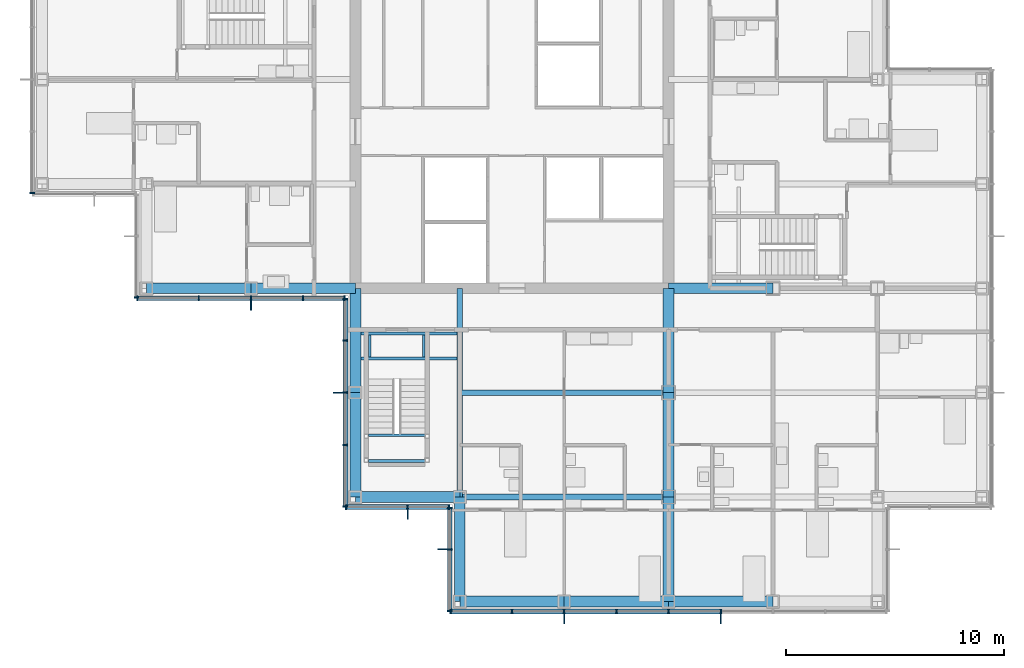
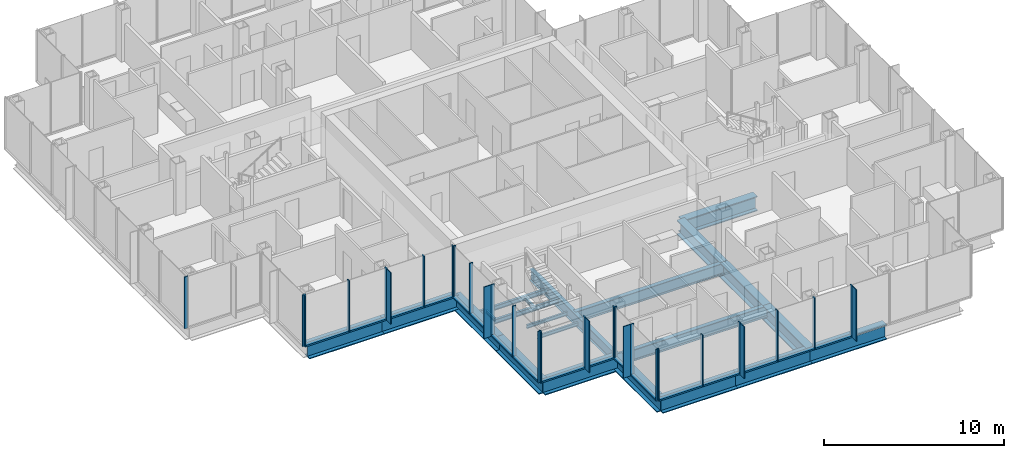
# One storey, part 6 of 20: 47 members, 22 beams, 7 elements without a shape of their own.
"""IFC4 building model written with IfcOpenShell, lengths in metres."""

from ifc_helpers import new_model, si_unit, direction, frame, origin, origin_2d, place, context, subcontext, project, spatial, rectangle, i_section, extrude, material, material_profile, profile_set, type_object, element, aggregate, save


model = new_model("IFC4")

# Units and contexts
model_context = context("Model", 3, precision=1e-05, world=origin(), true_north=direction((0.0, 1.0)))
body_context = subcontext(model_context, "Body", "Model", "MODEL_VIEW")
ifc_project = project(units=[si_unit("LENGTHUNIT", "METRE"), si_unit("AREAUNIT", "SQUARE_METRE"), si_unit("VOLUMEUNIT", "CUBIC_METRE"), si_unit("PLANEANGLEUNIT", "RADIAN"), si_unit("MASSUNIT", "GRAM", prefix="KILO")], contexts=[model_context])

# Site, building, storey
site_placement = place(None, origin())
site = spatial("IfcSite", under=ifc_project, at=site_placement, CompositionType="ELEMENT")
building_placement = place(site_placement, origin())
building = spatial("IfcBuilding", under=site, at=building_placement, Name="Kvirike Care Tower", CompositionType="ELEMENT")
storey_placement = place(building_placement, frame((0.0, 0.0, 119.0)))
storey = spatial("IfcBuildingStorey", under=building, at=storey_placement, Name="L32", CompositionType="ELEMENT", Elevation=119.0)

# Curtain wall, member
ifc_material_1 = material(Name="Anodised aluminium stick system", Category="aluminium")
curtain_wall_type = type_object("IfcCurtainWallType", Name="CW-B STICK CURTAIN WALL", PredefinedType="NOTDEFINED", material=ifc_material_1)
curtain_wall_1_placement = place(storey_placement, origin())
curtain_wall_1 = element("IfcCurtainWall", 1, at=curtain_wall_1_placement, inside=storey, type_object=curtain_wall_type, Name="Curtain wall L32 face 14", PredefinedType="NOTDEFINED")
ifc_material_2 = material(Name="Bronze anodised aluminium fin", Category="aluminium")
ifc_material_profile_1 = material_profile(ifc_material_2, rectangle(XDim=0.050048828125, YDim=0.449951171875, at=origin_2d()), Name="BRONZE FIN 450")
ifc_profile_set_1 = profile_set([ifc_material_profile_1], Name="Bronze anodised aluminium fin")
member_type_1 = type_object("IfcMemberType", Name="BRONZE FIN 450", PredefinedType="USERDEFINED", material=ifc_profile_set_1)
member_1_placement = place(storey_placement, frame((9.60009765625, 28.0048828125, 0.0), z_axis=(0.0, 0.0, 1.0), x_axis=(1.0, 0.0, 0.0)))
member_1 = element("IfcMember", 2, at=member_1_placement, type_object=member_type_1, Name="Bronze fin L32 face 14.3", ObjectType="FIN", PredefinedType="USERDEFINED", context=body_context, shape_type="SweptSolid", body=[
    extrude(rectangle(XDim=0.050048828125, YDim=0.449951171875, at=origin_2d()), origin(), (0.0, 0.0, 1.0), 3.5),
])

curtain_wall_2_placement = place(storey_placement, origin())
curtain_wall_2 = element("IfcCurtainWall", 3, at=curtain_wall_2_placement, inside=storey, type_object=curtain_wall_type, Name="Curtain wall L32 face 15", PredefinedType="NOTDEFINED")
member_2_placement = place(storey_placement, frame((13.60498046875, 24.0, 0.0), z_axis=(0.0, 0.0, 1.0), x_axis=(0.0, -1.0, 0.0)))
member_2 = element("IfcMember", 4, at=member_2_placement, type_object=member_type_1, Name="Bronze fin L32 face 15.3", ObjectType="FIN", PredefinedType="USERDEFINED", context=body_context, shape_type="SweptSolid", body=[
    extrude(rectangle(XDim=0.050048828125, YDim=0.449951171875, at=origin_2d()), origin(), (0.0, 0.0, 1.0), 3.5),
])

curtain_wall_3_placement = place(storey_placement, origin())
curtain_wall_3 = element("IfcCurtainWall", 5, at=curtain_wall_3_placement, inside=storey, type_object=curtain_wall_type, Name="Curtain wall L32 face 16", PredefinedType="NOTDEFINED")
member_3_placement = place(storey_placement, frame((16.800048828125, 18.405029296875, 0.0), z_axis=(0.0, 0.0, 1.0), x_axis=(1.0, 0.0, 0.0)))
member_3 = element("IfcMember", 6, at=member_3_placement, type_object=member_type_1, Name="Bronze fin L32 face 16.2", ObjectType="FIN", PredefinedType="USERDEFINED", context=body_context, shape_type="SweptSolid", body=[
    extrude(rectangle(XDim=0.050048828125, YDim=0.449951171875, at=origin_2d()), origin(), (0.0, 0.0, 1.0), 3.5),
])

curtain_wall_4_placement = place(storey_placement, origin())
curtain_wall_4 = element("IfcCurtainWall", 7, at=curtain_wall_4_placement, inside=storey, type_object=curtain_wall_type, Name="Curtain wall L32 face 17", PredefinedType="NOTDEFINED")
member_4_placement = place(storey_placement, frame((18.405029296875, 16.800048828125, 0.0), z_axis=(0.0, 0.0, 1.0), x_axis=(0.0, -1.0, 0.0)))
member_4 = element("IfcMember", 8, at=member_4_placement, type_object=member_type_1, Name="Bronze fin L32 face 17.2", ObjectType="FIN", PredefinedType="USERDEFINED", context=body_context, shape_type="SweptSolid", body=[
    extrude(rectangle(XDim=0.050048828125, YDim=0.449951171875, at=origin_2d()), origin(), (0.0, 0.0, 1.0), 3.5),
])

# Curtain wall, members
curtain_wall_5_placement = place(storey_placement, origin())
curtain_wall_5 = element("IfcCurtainWall", 9, at=curtain_wall_5_placement, inside=storey, type_object=curtain_wall_type, Name="Curtain wall L32 face 18", PredefinedType="NOTDEFINED")
member_5_placement = place(storey_placement, frame((24.0, 13.60498046875, 0.0), z_axis=(0.0, 0.0, 1.0), x_axis=(1.0, 0.0, 0.0)))
member_5 = element("IfcMember", 10, at=member_5_placement, type_object=member_type_1, Name="Bronze fin L32 face 18.3", ObjectType="FIN", PredefinedType="USERDEFINED", context=body_context, shape_type="SweptSolid", body=[
    extrude(rectangle(XDim=0.050048828125, YDim=0.449951171875, at=origin_2d()), origin(), (0.0, 0.0, 1.0), 3.5),
])
member_6_placement = place(storey_placement, frame((31.199951171875, 13.60498046875, 0.0), z_axis=(0.0, 0.0, 1.0), x_axis=(1.0, 0.0, 0.0)))
member_6 = element("IfcMember", 11, at=member_6_placement, type_object=member_type_1, Name="Bronze fin L32 face 18.6", ObjectType="FIN", PredefinedType="USERDEFINED", context=body_context, shape_type="SweptSolid", body=[
    extrude(rectangle(XDim=0.050048828125, YDim=0.449951171875, at=origin_2d()), origin(), (0.0, 0.0, 1.0), 3.5),
])

# Curtain wall, member
curtain_wall_6_placement = place(storey_placement, origin())
curtain_wall_6 = element("IfcCurtainWall", 12, at=curtain_wall_6_placement, inside=storey, type_object=curtain_wall_type, Name="Curtain wall L32 face 11", PredefinedType="NOTDEFINED")
ifc_material_3 = material(Name="Bronze anodised aluminium mullion", Category="aluminium")
ifc_material_profile_2 = material_profile(ifc_material_3, rectangle(XDim=0.06494140625, YDim=0.219970703125, at=origin_2d()), Name="CW-B MULLION 65x220")
ifc_profile_set_2 = profile_set([ifc_material_profile_2], Name="Bronze anodised aluminium mullion")
member_type_2 = type_object("IfcMemberType", Name="CW-B MULLION 65x220", PredefinedType="MULLION", material=ifc_profile_set_2)
member_7_placement = place(storey_placement, frame((-0.4599609375, 33.172607421875, 0.0), z_axis=(0.0, 0.0, 1.0), x_axis=(0.0, -1.0, 0.0)))
member_7 = element("IfcMember", 13, at=member_7_placement, type_object=member_type_2, Name="CW-B mullion L32 face 11.9", PredefinedType="MULLION", context=body_context, shape_type="SweptSolid", body=[
    extrude(rectangle(XDim=0.06494140625, YDim=0.219970703125, at=origin_2d()), origin(), (0.0, 0.0, 1.0), 3.5),
])
aggregate(curtain_wall_6, [member_7])

curtain_wall_7_placement = place(storey_placement, origin())
curtain_wall_7 = element("IfcCurtainWall", 14, at=curtain_wall_7_placement, inside=storey, type_object=curtain_wall_type, Name="Curtain wall L32 face 13", PredefinedType="NOTDEFINED")
member_8_placement = place(storey_placement, frame((4.340087890625, 28.37255859375, 0.0), z_axis=(0.0, 0.0, 1.0), x_axis=(0.0, -1.0, 0.0)))
member_8 = element("IfcMember", 15, at=member_8_placement, type_object=member_type_2, Name="CW-B mullion L32 face 13.3", PredefinedType="MULLION", context=body_context, shape_type="SweptSolid", body=[
    extrude(rectangle(XDim=0.06494140625, YDim=0.219970703125, at=origin_2d()), origin(), (0.0, 0.0, 1.0), 3.5),
])
aggregate(curtain_wall_7, [member_8])

# Member
member_9_placement = place(storey_placement, frame((4.37255859375, 28.340087890625, 0.0), z_axis=(0.0, 0.0, 1.0), x_axis=(1.0, 0.0, 0.0)))
member_9 = element("IfcMember", 16, at=member_9_placement, type_object=member_type_2, Name="CW-B mullion L32 face 14.1", PredefinedType="MULLION", context=body_context, shape_type="SweptSolid", body=[
    extrude(rectangle(XDim=0.06494140625, YDim=0.219970703125, at=origin_2d()), origin(), (0.0, 0.0, 1.0), 3.5),
])

member_10_placement = place(storey_placement, frame((7.199951171875, 28.340087890625, 0.0), z_axis=(0.0, 0.0, 1.0), x_axis=(1.0, 0.0, 0.0)))
member_10 = element("IfcMember", 17, at=member_10_placement, type_object=member_type_2, Name="CW-B mullion L32 face 14.2", PredefinedType="MULLION", context=body_context, shape_type="SweptSolid", body=[
    extrude(rectangle(XDim=0.06494140625, YDim=0.219970703125, at=origin_2d()), origin(), (0.0, 0.0, 1.0), 3.5),
])

member_11_placement = place(storey_placement, frame((9.60009765625, 28.340087890625, 0.0), z_axis=(0.0, 0.0, 1.0), x_axis=(1.0, 0.0, 0.0)))
member_11 = element("IfcMember", 18, at=member_11_placement, type_object=member_type_2, Name="CW-B mullion L32 face 14.3", PredefinedType="MULLION", context=body_context, shape_type="SweptSolid", body=[
    extrude(rectangle(XDim=0.06494140625, YDim=0.219970703125, at=origin_2d()), origin(), (0.0, 0.0, 1.0), 3.5),
])

member_12_placement = place(storey_placement, frame((12.0, 28.340087890625, 0.0), z_axis=(0.0, 0.0, 1.0), x_axis=(1.0, 0.0, 0.0)))
member_12 = element("IfcMember", 19, at=member_12_placement, type_object=member_type_2, Name="CW-B mullion L32 face 14.4", PredefinedType="MULLION", context=body_context, shape_type="SweptSolid", body=[
    extrude(rectangle(XDim=0.06494140625, YDim=0.219970703125, at=origin_2d()), origin(), (0.0, 0.0, 1.0), 3.5),
])

member_13_placement = place(storey_placement, frame((13.907470703125, 28.340087890625, 0.0), z_axis=(0.0, 0.0, 1.0), x_axis=(1.0, 0.0, 0.0)))
member_13 = element("IfcMember", 20, at=member_13_placement, type_object=member_type_2, Name="CW-B mullion L32 face 14.5", PredefinedType="MULLION", context=body_context, shape_type="SweptSolid", body=[
    extrude(rectangle(XDim=0.06494140625, YDim=0.219970703125, at=origin_2d()), origin(), (0.0, 0.0, 1.0), 3.5),
])

member_14_placement = place(storey_placement, frame((13.93994140625, 28.3076171875, 0.0), z_axis=(0.0, 0.0, 1.0), x_axis=(0.0, -1.0, 0.0)))
member_14 = element("IfcMember", 21, at=member_14_placement, type_object=member_type_2, Name="CW-B mullion L32 face 15.1", PredefinedType="MULLION", context=body_context, shape_type="SweptSolid", body=[
    extrude(rectangle(XDim=0.06494140625, YDim=0.219970703125, at=origin_2d()), origin(), (0.0, 0.0, 1.0), 3.5),
])

member_15_placement = place(storey_placement, frame((13.93994140625, 26.39990234375, 0.0), z_axis=(0.0, 0.0, 1.0), x_axis=(0.0, -1.0, 0.0)))
member_15 = element("IfcMember", 22, at=member_15_placement, type_object=member_type_2, Name="CW-B mullion L32 face 15.2", PredefinedType="MULLION", context=body_context, shape_type="SweptSolid", body=[
    extrude(rectangle(XDim=0.06494140625, YDim=0.219970703125, at=origin_2d()), origin(), (0.0, 0.0, 1.0), 3.5),
])

member_16_placement = place(storey_placement, frame((13.93994140625, 24.0, 0.0), z_axis=(0.0, 0.0, 1.0), x_axis=(0.0, -1.0, 0.0)))
member_16 = element("IfcMember", 23, at=member_16_placement, type_object=member_type_2, Name="CW-B mullion L32 face 15.3", PredefinedType="MULLION", context=body_context, shape_type="SweptSolid", body=[
    extrude(rectangle(XDim=0.06494140625, YDim=0.219970703125, at=origin_2d()), origin(), (0.0, 0.0, 1.0), 3.5),
])

member_17_placement = place(storey_placement, frame((13.93994140625, 21.60009765625, 0.0), z_axis=(0.0, 0.0, 1.0), x_axis=(0.0, -1.0, 0.0)))
member_17 = element("IfcMember", 24, at=member_17_placement, type_object=member_type_2, Name="CW-B mullion L32 face 15.4", PredefinedType="MULLION", context=body_context, shape_type="SweptSolid", body=[
    extrude(rectangle(XDim=0.06494140625, YDim=0.219970703125, at=origin_2d()), origin(), (0.0, 0.0, 1.0), 3.5),
])

member_18_placement = place(storey_placement, frame((13.93994140625, 18.7724609375, 0.0), z_axis=(0.0, 0.0, 1.0), x_axis=(0.0, -1.0, 0.0)))
member_18 = element("IfcMember", 25, at=member_18_placement, type_object=member_type_2, Name="CW-B mullion L32 face 15.5", PredefinedType="MULLION", context=body_context, shape_type="SweptSolid", body=[
    extrude(rectangle(XDim=0.06494140625, YDim=0.219970703125, at=origin_2d()), origin(), (0.0, 0.0, 1.0), 3.5),
])

member_19_placement = place(storey_placement, frame((13.972412109375, 18.739990234375, 0.0), z_axis=(0.0, 0.0, 1.0), x_axis=(1.0, 0.0, 0.0)))
member_19 = element("IfcMember", 26, at=member_19_placement, type_object=member_type_2, Name="CW-B mullion L32 face 16.1", PredefinedType="MULLION", context=body_context, shape_type="SweptSolid", body=[
    extrude(rectangle(XDim=0.06494140625, YDim=0.219970703125, at=origin_2d()), origin(), (0.0, 0.0, 1.0), 3.5),
])

member_20_placement = place(storey_placement, frame((16.800048828125, 18.739990234375, 0.0), z_axis=(0.0, 0.0, 1.0), x_axis=(1.0, 0.0, 0.0)))
member_20 = element("IfcMember", 27, at=member_20_placement, type_object=member_type_2, Name="CW-B mullion L32 face 16.2", PredefinedType="MULLION", context=body_context, shape_type="SweptSolid", body=[
    extrude(rectangle(XDim=0.06494140625, YDim=0.219970703125, at=origin_2d()), origin(), (0.0, 0.0, 1.0), 3.5),
])

member_21_placement = place(storey_placement, frame((18.70751953125, 18.739990234375, 0.0), z_axis=(0.0, 0.0, 1.0), x_axis=(1.0, 0.0, 0.0)))
member_21 = element("IfcMember", 28, at=member_21_placement, type_object=member_type_2, Name="CW-B mullion L32 face 16.3", PredefinedType="MULLION", context=body_context, shape_type="SweptSolid", body=[
    extrude(rectangle(XDim=0.06494140625, YDim=0.219970703125, at=origin_2d()), origin(), (0.0, 0.0, 1.0), 3.5),
])

member_22_placement = place(storey_placement, frame((18.739990234375, 18.70751953125, 0.0), z_axis=(0.0, 0.0, 1.0), x_axis=(0.0, -1.0, 0.0)))
member_22 = element("IfcMember", 29, at=member_22_placement, type_object=member_type_2, Name="CW-B mullion L32 face 17.1", PredefinedType="MULLION", context=body_context, shape_type="SweptSolid", body=[
    extrude(rectangle(XDim=0.06494140625, YDim=0.219970703125, at=origin_2d()), origin(), (0.0, 0.0, 1.0), 3.5),
])

member_23_placement = place(storey_placement, frame((18.739990234375, 16.800048828125, 0.0), z_axis=(0.0, 0.0, 1.0), x_axis=(0.0, -1.0, 0.0)))
member_23 = element("IfcMember", 30, at=member_23_placement, type_object=member_type_2, Name="CW-B mullion L32 face 17.2", PredefinedType="MULLION", context=body_context, shape_type="SweptSolid", body=[
    extrude(rectangle(XDim=0.06494140625, YDim=0.219970703125, at=origin_2d()), origin(), (0.0, 0.0, 1.0), 3.5),
])

member_24_placement = place(storey_placement, frame((18.739990234375, 13.972412109375, 0.0), z_axis=(0.0, 0.0, 1.0), x_axis=(0.0, -1.0, 0.0)))
member_24 = element("IfcMember", 31, at=member_24_placement, type_object=member_type_2, Name="CW-B mullion L32 face 17.3", PredefinedType="MULLION", context=body_context, shape_type="SweptSolid", body=[
    extrude(rectangle(XDim=0.06494140625, YDim=0.219970703125, at=origin_2d()), origin(), (0.0, 0.0, 1.0), 3.5),
])

member_25_placement = place(storey_placement, frame((18.7724609375, 13.93994140625, 0.0), z_axis=(0.0, 0.0, 1.0), x_axis=(1.0, 0.0, 0.0)))
member_25 = element("IfcMember", 32, at=member_25_placement, type_object=member_type_2, Name="CW-B mullion L32 face 18.1", PredefinedType="MULLION", context=body_context, shape_type="SweptSolid", body=[
    extrude(rectangle(XDim=0.06494140625, YDim=0.219970703125, at=origin_2d()), origin(), (0.0, 0.0, 1.0), 3.5),
])

member_26_placement = place(storey_placement, frame((21.60009765625, 13.93994140625, 0.0), z_axis=(0.0, 0.0, 1.0), x_axis=(1.0, 0.0, 0.0)))
member_26 = element("IfcMember", 33, at=member_26_placement, type_object=member_type_2, Name="CW-B mullion L32 face 18.2", PredefinedType="MULLION", context=body_context, shape_type="SweptSolid", body=[
    extrude(rectangle(XDim=0.06494140625, YDim=0.219970703125, at=origin_2d()), origin(), (0.0, 0.0, 1.0), 3.5),
])

member_27_placement = place(storey_placement, frame((24.0, 13.93994140625, 0.0), z_axis=(0.0, 0.0, 1.0), x_axis=(1.0, 0.0, 0.0)))
member_27 = element("IfcMember", 34, at=member_27_placement, type_object=member_type_2, Name="CW-B mullion L32 face 18.3", PredefinedType="MULLION", context=body_context, shape_type="SweptSolid", body=[
    extrude(rectangle(XDim=0.06494140625, YDim=0.219970703125, at=origin_2d()), origin(), (0.0, 0.0, 1.0), 3.5),
])

member_28_placement = place(storey_placement, frame((26.39990234375, 13.93994140625, 0.0), z_axis=(0.0, 0.0, 1.0), x_axis=(1.0, 0.0, 0.0)))
member_28 = element("IfcMember", 35, at=member_28_placement, type_object=member_type_2, Name="CW-B mullion L32 face 18.4", PredefinedType="MULLION", context=body_context, shape_type="SweptSolid", body=[
    extrude(rectangle(XDim=0.06494140625, YDim=0.219970703125, at=origin_2d()), origin(), (0.0, 0.0, 1.0), 3.5),
])

member_29_placement = place(storey_placement, frame((28.800048828125, 13.93994140625, 0.0), z_axis=(0.0, 0.0, 1.0), x_axis=(1.0, 0.0, 0.0)))
member_29 = element("IfcMember", 36, at=member_29_placement, type_object=member_type_2, Name="CW-B mullion L32 face 18.5", PredefinedType="MULLION", context=body_context, shape_type="SweptSolid", body=[
    extrude(rectangle(XDim=0.06494140625, YDim=0.219970703125, at=origin_2d()), origin(), (0.0, 0.0, 1.0), 3.5),
])

member_30_placement = place(storey_placement, frame((31.199951171875, 13.93994140625, 0.0), z_axis=(0.0, 0.0, 1.0), x_axis=(1.0, 0.0, 0.0)))
member_30 = element("IfcMember", 37, at=member_30_placement, type_object=member_type_2, Name="CW-B mullion L32 face 18.6", PredefinedType="MULLION", context=body_context, shape_type="SweptSolid", body=[
    extrude(rectangle(XDim=0.06494140625, YDim=0.219970703125, at=origin_2d()), origin(), (0.0, 0.0, 1.0), 3.5),
])

ifc_material_4 = material(Name="Bronze anodised aluminium transom", Category="aluminium")
ifc_material_profile_3 = material_profile(ifc_material_4, rectangle(XDim=0.219970703125, YDim=0.10009765625, at=origin_2d()), Name="CW-B TRANSOM 220x100")
ifc_profile_set_3 = profile_set([ifc_material_profile_3], Name="Bronze anodised aluminium transom")
member_type_3 = type_object("IfcMemberType", Name="CW-B TRANSOM 220x100", PredefinedType="USERDEFINED", material=ifc_profile_set_3)
member_31_placement = place(storey_placement, frame((4.405029296875, 28.340087890625, 0.050048828125), z_axis=(1.0, 0.0, 0.0), x_axis=(0.0, 1.0, 0.0)))
member_31 = element("IfcMember", 38, at=member_31_placement, type_object=member_type_3, Name="CW-B sill transom L32 face 14.1", ObjectType="TRANSOM", PredefinedType="USERDEFINED", context=body_context, shape_type="SweptSolid", body=[
    extrude(rectangle(XDim=0.219970703125, YDim=0.10009765625, at=origin_2d()), origin(), (0.0, 0.0, 1.0), 2.762451171875),
])

member_32_placement = place(storey_placement, frame((7.232421875, 28.340087890625, 0.050048828125), z_axis=(1.0, 0.0, 0.0), x_axis=(0.0, 1.0, 0.0)))
member_32 = element("IfcMember", 39, at=member_32_placement, type_object=member_type_3, Name="CW-B sill transom L32 face 14.2", ObjectType="TRANSOM", PredefinedType="USERDEFINED", context=body_context, shape_type="SweptSolid", body=[
    extrude(rectangle(XDim=0.219970703125, YDim=0.10009765625, at=origin_2d()), origin(), (0.0, 0.0, 1.0), 2.3349609375),
])

member_33_placement = place(storey_placement, frame((9.632568359375, 28.340087890625, 0.050048828125), z_axis=(1.0, 0.0, 0.0), x_axis=(0.0, 1.0, 0.0)))
member_33 = element("IfcMember", 40, at=member_33_placement, type_object=member_type_3, Name="CW-B sill transom L32 face 14.3", ObjectType="TRANSOM", PredefinedType="USERDEFINED", context=body_context, shape_type="SweptSolid", body=[
    extrude(rectangle(XDim=0.219970703125, YDim=0.10009765625, at=origin_2d()), origin(), (0.0, 0.0, 1.0), 2.3349609375),
])

member_34_placement = place(storey_placement, frame((12.032470703125, 28.340087890625, 0.050048828125), z_axis=(1.0, 0.0, 0.0), x_axis=(0.0, 1.0, 0.0)))
member_34 = element("IfcMember", 41, at=member_34_placement, type_object=member_type_3, Name="CW-B sill transom L32 face 14.4", ObjectType="TRANSOM", PredefinedType="USERDEFINED", context=body_context, shape_type="SweptSolid", body=[
    extrude(rectangle(XDim=0.219970703125, YDim=0.10009765625, at=origin_2d()), origin(), (0.0, 0.0, 1.0), 1.842529296875),
])

aggregate(curtain_wall_1, [member_9, member_10, member_11, member_1, member_12, member_13, member_31, member_32, member_33, member_34])

member_35_placement = place(storey_placement, frame((13.93994140625, 28.27490234375, 0.050048828125), z_axis=(0.0, -1.0, 0.0), x_axis=(1.0, 0.0, 0.0)))
member_35 = element("IfcMember", 42, at=member_35_placement, type_object=member_type_3, Name="CW-B sill transom L32 face 15.1", ObjectType="TRANSOM", PredefinedType="USERDEFINED", context=body_context, shape_type="SweptSolid", body=[
    extrude(rectangle(XDim=0.219970703125, YDim=0.10009765625, at=origin_2d()), origin(), (0.0, 0.0, 1.0), 1.84228515625),
])

member_36_placement = place(storey_placement, frame((13.93994140625, 26.367431640625, 0.050048828125), z_axis=(0.0, -1.0, 0.0), x_axis=(1.0, 0.0, 0.0)))
member_36 = element("IfcMember", 43, at=member_36_placement, type_object=member_type_3, Name="CW-B sill transom L32 face 15.2", ObjectType="TRANSOM", PredefinedType="USERDEFINED", context=body_context, shape_type="SweptSolid", body=[
    extrude(rectangle(XDim=0.219970703125, YDim=0.10009765625, at=origin_2d()), origin(), (0.0, 0.0, 1.0), 2.3349609375),
])

member_37_placement = place(storey_placement, frame((13.93994140625, 23.967529296875, 0.050048828125), z_axis=(0.0, -1.0, 0.0), x_axis=(1.0, 0.0, 0.0)))
member_37 = element("IfcMember", 44, at=member_37_placement, type_object=member_type_3, Name="CW-B sill transom L32 face 15.3", ObjectType="TRANSOM", PredefinedType="USERDEFINED", context=body_context, shape_type="SweptSolid", body=[
    extrude(rectangle(XDim=0.219970703125, YDim=0.10009765625, at=origin_2d()), origin(), (0.0, 0.0, 1.0), 2.3349609375),
])

member_38_placement = place(storey_placement, frame((13.93994140625, 21.5673828125, 0.050048828125), z_axis=(0.0, -1.0, 0.0), x_axis=(1.0, 0.0, 0.0)))
member_38 = element("IfcMember", 45, at=member_38_placement, type_object=member_type_3, Name="CW-B sill transom L32 face 15.4", ObjectType="TRANSOM", PredefinedType="USERDEFINED", context=body_context, shape_type="SweptSolid", body=[
    extrude(rectangle(XDim=0.219970703125, YDim=0.10009765625, at=origin_2d()), origin(), (0.0, 0.0, 1.0), 2.762451171875),
])

aggregate(curtain_wall_2, [member_14, member_15, member_16, member_2, member_17, member_18, member_35, member_36, member_37, member_38])

member_39_placement = place(storey_placement, frame((14.0048828125, 18.739990234375, 0.050048828125), z_axis=(1.0, 0.0, 0.0), x_axis=(0.0, 1.0, 0.0)))
member_39 = element("IfcMember", 46, at=member_39_placement, type_object=member_type_3, Name="CW-B sill transom L32 face 16.1", ObjectType="TRANSOM", PredefinedType="USERDEFINED", context=body_context, shape_type="SweptSolid", body=[
    extrude(rectangle(XDim=0.219970703125, YDim=0.10009765625, at=origin_2d()), origin(), (0.0, 0.0, 1.0), 2.7626953125),
])

member_40_placement = place(storey_placement, frame((16.83251953125, 18.739990234375, 0.050048828125), z_axis=(1.0, 0.0, 0.0), x_axis=(0.0, 1.0, 0.0)))
member_40 = element("IfcMember", 47, at=member_40_placement, type_object=member_type_3, Name="CW-B sill transom L32 face 16.2", ObjectType="TRANSOM", PredefinedType="USERDEFINED", context=body_context, shape_type="SweptSolid", body=[
    extrude(rectangle(XDim=0.219970703125, YDim=0.10009765625, at=origin_2d()), origin(), (0.0, 0.0, 1.0), 1.842529296875),
])

aggregate(curtain_wall_3, [member_19, member_20, member_3, member_21, member_39, member_40])

member_41_placement = place(storey_placement, frame((18.739990234375, 18.675048828125, 0.050048828125), z_axis=(0.0, -1.0, 0.0), x_axis=(1.0, 0.0, 0.0)))
member_41 = element("IfcMember", 48, at=member_41_placement, type_object=member_type_3, Name="CW-B sill transom L32 face 17.1", ObjectType="TRANSOM", PredefinedType="USERDEFINED", context=body_context, shape_type="SweptSolid", body=[
    extrude(rectangle(XDim=0.219970703125, YDim=0.10009765625, at=origin_2d()), origin(), (0.0, 0.0, 1.0), 1.842529296875),
])

member_42_placement = place(storey_placement, frame((18.739990234375, 16.767578125, 0.050048828125), z_axis=(0.0, -1.0, 0.0), x_axis=(1.0, 0.0, 0.0)))
member_42 = element("IfcMember", 49, at=member_42_placement, type_object=member_type_3, Name="CW-B sill transom L32 face 17.2", ObjectType="TRANSOM", PredefinedType="USERDEFINED", context=body_context, shape_type="SweptSolid", body=[
    extrude(rectangle(XDim=0.219970703125, YDim=0.10009765625, at=origin_2d()), origin(), (0.0, 0.0, 1.0), 2.7626953125),
])

aggregate(curtain_wall_4, [member_22, member_23, member_4, member_24, member_41, member_42])

member_43_placement = place(storey_placement, frame((18.804931640625, 13.93994140625, 0.050048828125), z_axis=(1.0, 0.0, 0.0), x_axis=(0.0, 1.0, 0.0)))
member_43 = element("IfcMember", 50, at=member_43_placement, type_object=member_type_3, Name="CW-B sill transom L32 face 18.1", ObjectType="TRANSOM", PredefinedType="USERDEFINED", context=body_context, shape_type="SweptSolid", body=[
    extrude(rectangle(XDim=0.219970703125, YDim=0.10009765625, at=origin_2d()), origin(), (0.0, 0.0, 1.0), 2.762451171875),
])

member_44_placement = place(storey_placement, frame((21.632568359375, 13.93994140625, 0.050048828125), z_axis=(1.0, 0.0, 0.0), x_axis=(0.0, 1.0, 0.0)))
member_44 = element("IfcMember", 51, at=member_44_placement, type_object=member_type_3, Name="CW-B sill transom L32 face 18.2", ObjectType="TRANSOM", PredefinedType="USERDEFINED", context=body_context, shape_type="SweptSolid", body=[
    extrude(rectangle(XDim=0.219970703125, YDim=0.10009765625, at=origin_2d()), origin(), (0.0, 0.0, 1.0), 2.3349609375),
])

member_45_placement = place(storey_placement, frame((24.032470703125, 13.93994140625, 0.050048828125), z_axis=(1.0, 0.0, 0.0), x_axis=(0.0, 1.0, 0.0)))
member_45 = element("IfcMember", 52, at=member_45_placement, type_object=member_type_3, Name="CW-B sill transom L32 face 18.3", ObjectType="TRANSOM", PredefinedType="USERDEFINED", context=body_context, shape_type="SweptSolid", body=[
    extrude(rectangle(XDim=0.219970703125, YDim=0.10009765625, at=origin_2d()), origin(), (0.0, 0.0, 1.0), 2.3349609375),
])

member_46_placement = place(storey_placement, frame((26.4326171875, 13.93994140625, 0.050048828125), z_axis=(1.0, 0.0, 0.0), x_axis=(0.0, 1.0, 0.0)))
member_46 = element("IfcMember", 53, at=member_46_placement, type_object=member_type_3, Name="CW-B sill transom L32 face 18.4", ObjectType="TRANSOM", PredefinedType="USERDEFINED", context=body_context, shape_type="SweptSolid", body=[
    extrude(rectangle(XDim=0.219970703125, YDim=0.10009765625, at=origin_2d()), origin(), (0.0, 0.0, 1.0), 2.3349609375),
])

member_47_placement = place(storey_placement, frame((28.83251953125, 13.93994140625, 0.050048828125), z_axis=(1.0, 0.0, 0.0), x_axis=(0.0, 1.0, 0.0)))
member_47 = element("IfcMember", 54, at=member_47_placement, type_object=member_type_3, Name="CW-B sill transom L32 face 18.5", ObjectType="TRANSOM", PredefinedType="USERDEFINED", context=body_context, shape_type="SweptSolid", body=[
    extrude(rectangle(XDim=0.219970703125, YDim=0.10009765625, at=origin_2d()), origin(), (0.0, 0.0, 1.0), 2.3349609375),
])

aggregate(curtain_wall_5, [member_25, member_26, member_27, member_5, member_28, member_29, member_30, member_6, member_43, member_44, member_45, member_46, member_47])

# Beams
ifc_material_5 = material(Name="Steel S355", Category="steel")
ifc_material_profile_4 = material_profile(ifc_material_5, i_section(OverallWidth=0.26806640625, OverallDepth=0.77001953125, WebThickness=0.015625, FlangeThickness=0.025390625, FilletRadius=0.01708984375, at=origin_2d()), Name="IPE 750x196")
ifc_profile_set_4 = profile_set([ifc_material_profile_4], Name="Steel S355")
beam_type_1 = type_object("IfcBeamType", Name="FLOOR BEAM IPE 750x196", PredefinedType="BEAM", material=ifc_profile_set_4)
for number, where, z_axis, x_axis, name in (
    (55, (19.199951171875, 19.199951171875, -0.554931640625), (1.0, 0.0, 0.0), (0.0, 1.0, 0.0), "Floor Beam E7-E9 L32"),
    (56, (19.199951171875, 24.0, -0.554931640625), (1.0, 0.0, 0.0), (0.0, 1.0, 0.0), "Floor Beam F7-F9 L32"),
    (57, (19.199951171875, 19.199951171875, -0.554931640625), (0.0, 1.0, 0.0), (-1.0, 0.0, 0.0), "Floor Beam E7-G7 L32"),
):
    element("IfcBeam", number, at=place(storey_placement, frame(where, z_axis=z_axis, x_axis=x_axis)), inside=storey, type_object=beam_type_1, Name=name, PredefinedType="BEAM", context=body_context, shape_type="SweptSolid", body=[
        extrude(i_section(OverallWidth=0.26806640625, OverallDepth=0.77001953125, WebThickness=0.015625, FlangeThickness=0.025390625, FilletRadius=0.01708984375, at=origin_2d()), origin(), (0.0, 0.0, 1.0), 9.60009765625),
    ])
ifc_material_6 = material(Name="Steel S355", Category="steel")
ifc_material_profile_5 = material_profile(ifc_material_6, i_section(OverallWidth=0.5, OverallDepth=1.0, WebThickness=0.030029296875, FlangeThickness=0.06005859375, at=origin_2d()), Name="PG 1000x500x30x60")
ifc_profile_set_5 = profile_set([ifc_material_profile_5], Name="Steel S355")
beam_type_2 = type_object("IfcBeamType", Name="FRAME BEAM PG 1000x500x30x60", PredefinedType="BEAM", material=ifc_profile_set_5)
for number, where, z_axis, x_axis, name in (
    (58, (28.800048828125, 28.800048828125, -0.669921875), (1.0, 0.0, 0.0), (0.0, 1.0, 0.0), "Frame Beam G9-G10 L32"),
    (59, (28.800048828125, 14.39990234375, -0.669921875), (0.0, 1.0, 0.0), (-1.0, 0.0, 0.0), "Frame Beam D9-E9 L32"),
    (60, (28.800048828125, 19.199951171875, -0.669921875), (0.0, 1.0, 0.0), (-1.0, 0.0, 0.0), "Frame Beam E9-F9 L32"),
    (61, (28.800048828125, 24.0, -0.669921875), (0.0, 1.0, 0.0), (-1.0, 0.0, 0.0), "Frame Beam F9-G9 L32"),
):
    element("IfcBeam", number, at=place(storey_placement, frame(where, z_axis=z_axis, x_axis=x_axis)), inside=storey, type_object=beam_type_2, Name=name, PredefinedType="BEAM", context=body_context, shape_type="SweptSolid", body=[
        extrude(i_section(OverallWidth=0.5, OverallDepth=1.0, WebThickness=0.030029296875, FlangeThickness=0.06005859375, at=origin_2d()), origin(), (0.0, 0.0, 1.0), 4.800048828125),
    ])
ifc_material_7 = material(Name="Steel S355", Category="steel")
ifc_material_profile_6 = material_profile(ifc_material_7, i_section(OverallWidth=0.5, OverallDepth=1.0, WebThickness=0.030029296875, FlangeThickness=0.06005859375, at=origin_2d()), Name="PG 1000x500x30x60")
ifc_profile_set_6 = profile_set([ifc_material_profile_6], Name="Steel S355")
beam_type_3 = type_object("IfcBeamType", Name="SPANDREL PG 1000x500x30x60", PredefinedType="SPANDREL", material=ifc_profile_set_6)
for number, where, z_axis, x_axis, name in (
    (62, (19.199951171875, 14.39990234375, -0.669921875), (1.0, 0.0, 0.0), (0.0, 1.0, 0.0), "Spandrel D7-D8 L32"),
    (63, (24.0, 14.39990234375, -0.669921875), (1.0, 0.0, 0.0), (0.0, 1.0, 0.0), "Spandrel D8-D9 L32"),
    (64, (28.800048828125, 14.39990234375, -0.669921875), (1.0, 0.0, 0.0), (0.0, 1.0, 0.0), "Spandrel D9-D10 L32"),
    (65, (14.39990234375, 19.199951171875, -0.669921875), (1.0, 0.0, 0.0), (0.0, 1.0, 0.0), "Spandrel E6-E7 L32"),
    (66, (4.800048828125, 28.800048828125, -0.669921875), (1.0, 0.0, 0.0), (0.0, 1.0, 0.0), "Spandrel G4-G5 L32"),
):
    element("IfcBeam", number, at=place(storey_placement, frame(where, z_axis=z_axis, x_axis=x_axis)), inside=storey, type_object=beam_type_3, Name=name, PredefinedType="SPANDREL", context=body_context, shape_type="SweptSolid", body=[
        extrude(i_section(OverallWidth=0.5, OverallDepth=1.0, WebThickness=0.030029296875, FlangeThickness=0.06005859375, at=origin_2d()), origin(), (0.0, 0.0, 1.0), 4.800048828125),
    ])
beam_placement = place(storey_placement, frame((9.60009765625, 28.800048828125, -0.669921875), z_axis=(1.0, 0.0, 0.0), x_axis=(0.0, 1.0, 0.0)))
element("IfcBeam", 67, at=beam_placement, inside=storey, type_object=beam_type_3, Name="Spandrel G5-G6 L32", PredefinedType="SPANDREL", context=body_context, shape_type="SweptSolid", body=[
    extrude(i_section(OverallWidth=0.5, OverallDepth=1.0, WebThickness=0.030029296875, FlangeThickness=0.06005859375, at=origin_2d()), origin(), (0.0, 0.0, 1.0), 4.7998046875),
])
for number, where, z_axis, x_axis, name in (
    (68, (14.39990234375, 19.199951171875, -0.669921875), (0.0, 1.0, 0.0), (-1.0, 0.0, 0.0), "Spandrel E6-F6 L32"),
    (69, (14.39990234375, 24.0, -0.669921875), (0.0, 1.0, 0.0), (-1.0, 0.0, 0.0), "Spandrel F6-G6 L32"),
    (70, (19.199951171875, 14.39990234375, -0.669921875), (0.0, 1.0, 0.0), (-1.0, 0.0, 0.0), "Spandrel D7-E7 L32"),
):
    element("IfcBeam", number, at=place(storey_placement, frame(where, z_axis=z_axis, x_axis=x_axis)), inside=storey, type_object=beam_type_3, Name=name, PredefinedType="SPANDREL", context=body_context, shape_type="SweptSolid", body=[
        extrude(i_section(OverallWidth=0.5, OverallDepth=1.0, WebThickness=0.030029296875, FlangeThickness=0.06005859375, at=origin_2d()), origin(), (0.0, 0.0, 1.0), 4.800048828125),
    ])
ifc_material_8 = material(Name="Steel S355", Category="steel")
ifc_material_profile_7 = material_profile(ifc_material_8, i_section(OverallWidth=0.1201171875, OverallDepth=0.239990234375, WebThickness=0.006103515625, FlangeThickness=0.009765625, FilletRadius=0.014892578125, at=origin_2d()), Name="IPE 240")
ifc_profile_set_7 = profile_set([ifc_material_profile_7], Name="Steel S355")
beam_type_4 = type_object("IfcBeamType", Name="STAIR LANDING BEAM IPE 240", PredefinedType="BEAM", material=ifc_profile_set_7)
for number, where, z_axis, x_axis, name in (
    (71, (15.0, 20.860107421875, 1.429931640625), (1.0, 0.0, 0.0), (0.0, 1.0, 0.0), "Stair 5 landing beam back L32"),
    (72, (15.0, 22.0400390625, 1.429931640625), (1.0, 0.0, 0.0), (0.0, 1.0, 0.0), "Stair 5 landing beam front L32"),
):
    element("IfcBeam", number, at=place(storey_placement, frame(where, z_axis=z_axis, x_axis=x_axis)), inside=storey, type_object=beam_type_4, Name=name, PredefinedType="BEAM", context=body_context, shape_type="SweptSolid", body=[
        extrude(i_section(OverallWidth=0.1201171875, OverallDepth=0.239990234375, WebThickness=0.006103515625, FlangeThickness=0.009765625, FilletRadius=0.014892578125, at=origin_2d()), origin(), (0.0, 0.0, 1.0), 2.60009765625),
    ])
for number, where, z_axis, x_axis, name in (
    (73, (15.06005859375, 25.64990234375, -0.320068359375), (0.0, 1.0, 0.0), (-1.0, 0.0, 0.0), "Stair 5 landing edge beam 1 L32"),
    (74, (17.5400390625, 25.64990234375, -0.320068359375), (0.0, 1.0, 0.0), (-1.0, 0.0, 0.0), "Stair 5 landing edge beam 2 L32"),
):
    element("IfcBeam", number, at=place(storey_placement, frame(where, z_axis=z_axis, x_axis=x_axis)), inside=storey, type_object=beam_type_4, Name=name, PredefinedType="BEAM", context=body_context, shape_type="SweptSolid", body=[
        extrude(i_section(OverallWidth=0.1201171875, OverallDepth=0.239990234375, WebThickness=0.006103515625, FlangeThickness=0.009765625, FilletRadius=0.014892578125, at=origin_2d()), origin(), (0.0, 0.0, 1.0), 1.0),
    ])
ifc_material_9 = material(Name="Steel S355", Category="steel")
ifc_material_profile_8 = material_profile(ifc_material_9, i_section(OverallWidth=0.14990234375, OverallDepth=0.300048828125, WebThickness=0.007080078125, FlangeThickness=0.0107421875, FilletRadius=0.014892578125, at=origin_2d()), Name="IPE 300")
ifc_profile_set_8 = profile_set([ifc_material_profile_8], Name="Steel S355")
beam_type_5 = type_object("IfcBeamType", Name="STAIR TRIMMER IPE 300", PredefinedType="BEAM", material=ifc_profile_set_8)
for number, where, z_axis, x_axis, name in (
    (75, (14.64990234375, 25.574951171875, -0.35009765625), (1.0, 0.0, 0.0), (0.0, 1.0, 0.0), "Stair 5 trimmer 1 L32"),
    (76, (14.64990234375, 26.72509765625, -0.35009765625), (1.0, 0.0, 0.0), (0.0, 1.0, 0.0), "Stair 5 trimmer 2 L32"),
):
    element("IfcBeam", number, at=place(storey_placement, frame(where, z_axis=z_axis, x_axis=x_axis)), inside=storey, type_object=beam_type_5, Name=name, PredefinedType="BEAM", context=body_context, shape_type="SweptSolid", body=[
        extrude(i_section(OverallWidth=0.14990234375, OverallDepth=0.300048828125, WebThickness=0.007080078125, FlangeThickness=0.0107421875, FilletRadius=0.014892578125, at=origin_2d()), origin(), (0.0, 0.0, 1.0), 4.416015625),
    ])

save(model, "model.ifc")
